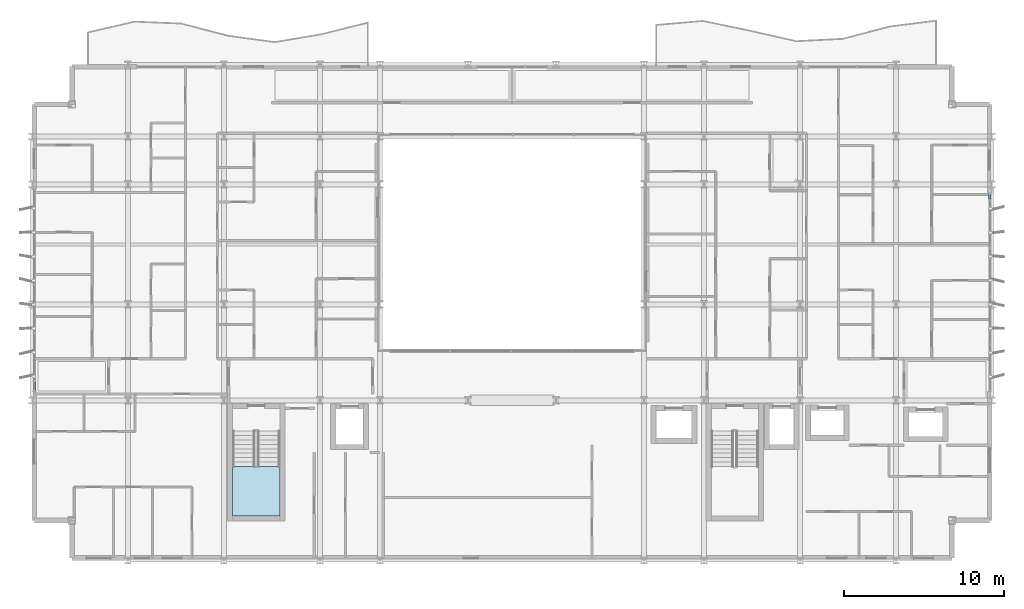
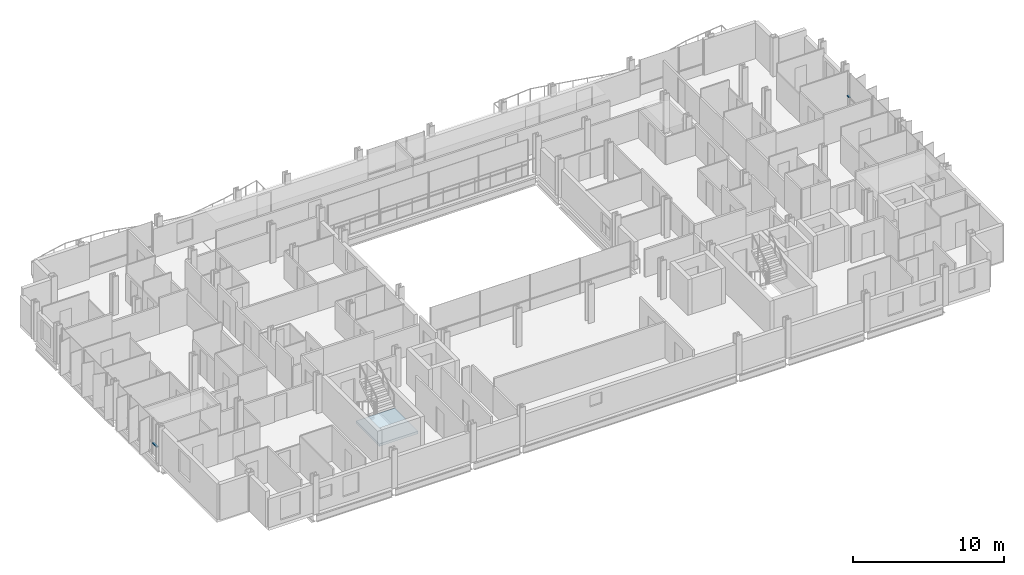
# One storey, part 21 of 38: 2 members, 1 slab, 3 elements without a shape of their own.
"""IFC4 building model written with IfcOpenShell, lengths in metres."""

from ifc_helpers import new_model, si_unit, direction, frame, origin, origin_2d, place, context, subcontext, project, spatial, polyline, hollow_rectangle, outline, extrude, material, layer, layer_set, material_profile, profile_set, type_object, element, aggregate, save


model = new_model("IFC4")

# Units and contexts
model_context = context("Model", 3, precision=1e-05, world=origin(), true_north=direction((0.0, 1.0)))
body_context = subcontext(model_context, "Body", "Model", "MODEL_VIEW")
ifc_project = project(units=[si_unit("LENGTHUNIT", "METRE"), si_unit("AREAUNIT", "SQUARE_METRE"), si_unit("VOLUMEUNIT", "CUBIC_METRE"), si_unit("PLANEANGLEUNIT", "RADIAN"), si_unit("MASSUNIT", "GRAM", prefix="KILO")], contexts=[model_context])

# Site, building, storey
site_placement = place(None, origin())
site = spatial("IfcSite", under=ifc_project, at=site_placement, CompositionType="ELEMENT")
building_placement = place(site_placement, origin())
building = spatial("IfcBuilding", under=site, at=building_placement, Name="Brevholm Reach", CompositionType="ELEMENT")
storey_placement = place(building_placement, frame((0.0, 0.0, 46.60009765625)))
storey = spatial("IfcBuildingStorey", under=building, at=storey_placement, Name="L12", CompositionType="ELEMENT", Elevation=46.60009765625)

# Curtain wall, member
ifc_material_1 = material(Name="Dark Anodised Aluminium 6063-T6 and Solar-Control Glass", Category="aluminium")
ifc_layer_1 = layer(ifc_material_1, 0.14990234375)
ifc_layer_set_1 = layer_set([ifc_layer_1], Name="Dark Anodised Aluminium 6063-T6 and Solar-Control Glass")
curtain_wall_type = type_object("IfcCurtainWallType", Name="CW-01", PredefinedType="NOTDEFINED", material=ifc_layer_set_1)
curtain_wall_1_placement = place(storey_placement, origin())
curtain_wall_1 = element("IfcCurtainWall", 1, at=curtain_wall_1_placement, inside=storey, type_object=curtain_wall_type, Name="L12 Curtain Wall CW-01", PredefinedType="NOTDEFINED")
ifc_material_2 = material(Name="Dark Anodised Aluminium 6063-T6", Category="aluminium")
ifc_material_profile = material_profile(ifc_material_2, hollow_rectangle(XDim=0.06494140625, YDim=0.14990234375, WallThickness=0.0048828125, InnerFilletRadius=0.0048828125, OuterFilletRadius=0.010009765625, at=origin_2d()), Name="RHS 150x65x5")
ifc_profile_set = profile_set([ifc_material_profile], Name="Dark Anodised Aluminium 6063-T6")
member_type = type_object("IfcMemberType", Name="CWT-150", PredefinedType="NOTDEFINED", material=ifc_profile_set)
member_1_placement = place(storey_placement, frame((0.14990234375, 11.1875, 0.89990234375), z_axis=(0.0, -1.0, 0.0), x_axis=(0.0, 0.0, 1.0)))
member_1 = element("IfcMember", 2, at=member_1_placement, type_object=member_type, Name="CT-150 Transom 5.1", ObjectType="TRANSOM", PredefinedType="USERDEFINED", context=body_context, shape_type="SweptSolid", body=[
    extrude(hollow_rectangle(XDim=0.06494140625, YDim=0.14990234375, WallThickness=0.0048828125, InnerFilletRadius=0.0048828125, OuterFilletRadius=0.010009765625, at=origin_2d()), origin(), (0.0, 0.0, 1.0), 0.572509765625),
])
aggregate(curtain_wall_1, [member_1])

curtain_wall_2_placement = place(storey_placement, origin())
curtain_wall_2 = element("IfcCurtainWall", 3, at=curtain_wall_2_placement, inside=storey, type_object=curtain_wall_type, Name="L12 Curtain Wall CW-01", PredefinedType="NOTDEFINED")
member_2_placement = place(storey_placement, frame((59.85009765625, 22.58251953125, 0.89990234375), z_axis=(0.0, 1.0, 0.0), x_axis=(0.0, 0.0, 1.0)))
member_2 = element("IfcMember", 4, at=member_2_placement, type_object=member_type, Name="CT-150 Transom 5.1", ObjectType="TRANSOM", PredefinedType="USERDEFINED", context=body_context, shape_type="SweptSolid", body=[
    extrude(hollow_rectangle(XDim=0.06494140625, YDim=0.14990234375, WallThickness=0.0048828125, InnerFilletRadius=0.0048828125, OuterFilletRadius=0.010009765625, at=origin_2d()), origin(), (0.0, 0.0, 1.0), 0.302490234375),
])
aggregate(curtain_wall_2, [member_2])

# Stair, slab
ifc_material_3 = material(Name="Precast Concrete C40/50", Category="concrete")
stair_type = type_object("IfcStairType", Name="STR-ESC-1400", PredefinedType="DOUBLE_RETURN_STAIR", material=ifc_material_3)
stair_placement = place(storey_placement, origin())
stair = element("IfcStair", 5, at=stair_placement, inside=storey, type_object=stair_type, Name="L12 ST-1", PredefinedType="DOUBLE_RETURN_STAIR")
ifc_material_4 = material(Name="Concrete C40/50", Category="concrete")
ifc_layer_2 = layer(ifc_material_4, 0.199951171875)
ifc_layer_set_2 = layer_set([ifc_layer_2], Name="Concrete C40/50")
slab_type = type_object("IfcSlabType", Name="SLB-LND-200", PredefinedType="LANDING", material=ifc_layer_set_2)
slab_placement = place(storey_placement, frame((0.0, 0.0, 1.349853515625)))
slab = element("IfcSlab", 6, at=slab_placement, type_object=slab_type, Name="ST-1 landing 1", PredefinedType="LANDING", context=body_context, shape_type="SweptSolid", body=[
    extrude(outline(polyline([(12.550048828125, 5.860107421875), (12.550048828125, 2.780029296875), (15.5, 2.780029296875), (15.5, 5.860107421875), (12.550048828125, 5.860107421875)])), origin(), (0.0, 0.0, 1.0), 0.199951171875),
])
aggregate(stair, [slab])

save(model, "model.ifc")
